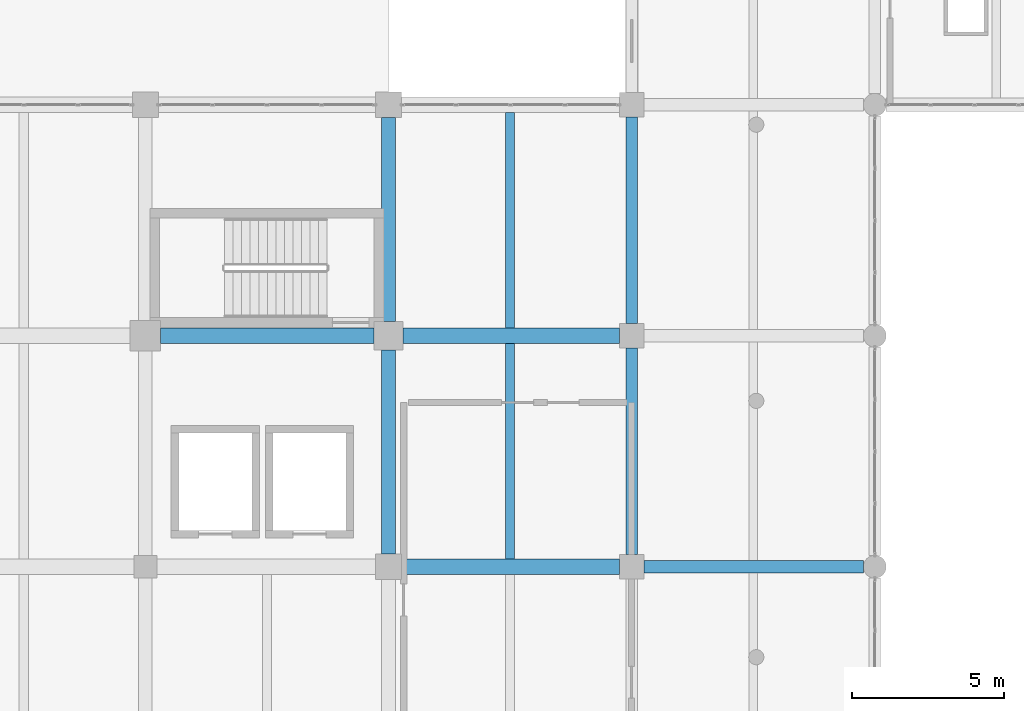
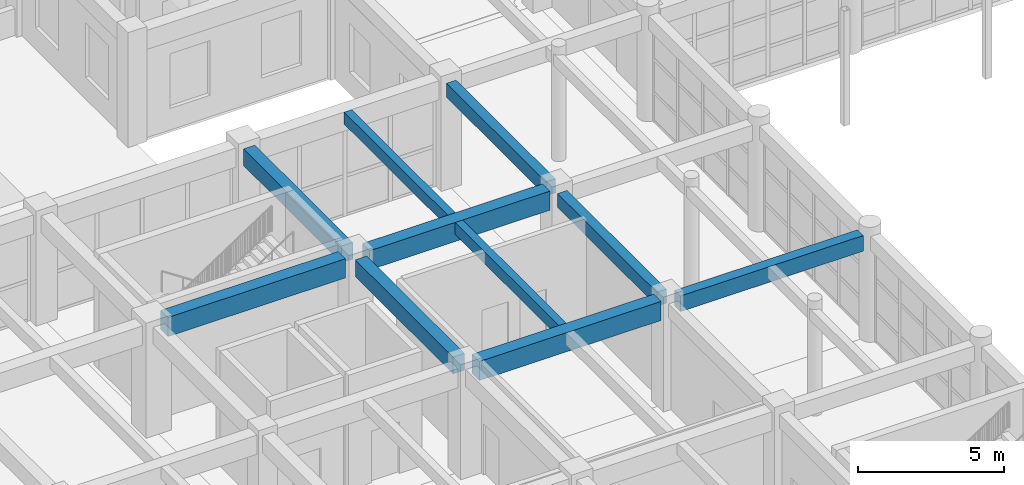
# One storey, part 29 of 101: 10 beams.
"""IFC4 building model written with IfcOpenShell, lengths in metres."""

from ifc_helpers import new_model, si_unit, direction, frame, origin, origin_2d, place, context, subcontext, project, spatial, rectangle, extrude, material, material_profile, profile_set, type_object, element, save


model = new_model("IFC4")

# Units and contexts
model_context = context("Model", 3, precision=1e-05, world=origin(), true_north=direction((0.0, 1.0)))
body_context = subcontext(model_context, "Body", "Model", "MODEL_VIEW")
ifc_project = project(units=[si_unit("LENGTHUNIT", "METRE"), si_unit("AREAUNIT", "SQUARE_METRE"), si_unit("VOLUMEUNIT", "CUBIC_METRE"), si_unit("PLANEANGLEUNIT", "RADIAN"), si_unit("MASSUNIT", "GRAM", prefix="KILO")], contexts=[model_context])

# Site, building, storey
site_placement = place(None, origin())
site = spatial("IfcSite", under=ifc_project, at=site_placement, CompositionType="ELEMENT")
building_placement = place(site_placement, origin())
building = spatial("IfcBuilding", under=site, at=building_placement, Name="Zantavel Square City Hall", CompositionType="ELEMENT")
storey_placement = place(building_placement, frame((0.0, 0.0, 5.39990234375)))
storey = spatial("IfcBuildingStorey", under=building, at=storey_placement, Name="L02", CompositionType="ELEMENT", Elevation=5.39990234375)

# Beams
ifc_material = material(Name="Concrete C35/45", Category="concrete")
ifc_material_profile_1 = material_profile(ifc_material, rectangle(XDim=0.3798828125, YDim=0.580078125, at=origin_2d()), Name="RC 380x580")
ifc_profile_set_1 = profile_set([ifc_material_profile_1], Name="Concrete C35/45")
beam_type_1 = type_object("IfcBeamType", Name="Annex Secondary Beam RC 380x580 C35/45", PredefinedType="BEAM", material=ifc_profile_set_1)
beam_1_placement = place(storey_placement, frame((112.0, 53.60009765625, 4.16015625), z_axis=(0.0, 1.0, 0.0), x_axis=(-1.0, 0.0, 0.0)))
element("IfcBeam", 1, at=beam_1_placement, inside=storey, type_object=beam_type_1, Name="L02 Beam BMY-L02-1120-0532", PredefinedType="BEAM", context=body_context, shape_type="SweptSolid", body=[
    extrude(rectangle(XDim=0.3798828125, YDim=0.580078125, at=origin_2d()), origin(), (0.0, 0.0, 1.0), 6.7998046875),
])
beam_2_placement = place(storey_placement, frame((112.0, 61.199951171875, 4.16015625), z_axis=(0.0, 1.0, 0.0), x_axis=(-1.0, 0.0, 0.0)))
element("IfcBeam", 2, at=beam_2_placement, inside=storey, type_object=beam_type_1, Name="L02 Beam BMY-L02-1120-0608", PredefinedType="BEAM", context=body_context, shape_type="SweptSolid", body=[
    extrude(rectangle(XDim=0.3798828125, YDim=0.580078125, at=origin_2d()), origin(), (0.0, 0.0, 1.0), 6.800048828125),
])
ifc_material_profile_2 = material_profile(ifc_material, rectangle(XDim=0.300048828125, YDim=0.5, at=origin_2d()), Name="RC 300x500")
ifc_profile_set_2 = profile_set([ifc_material_profile_2], Name="Concrete C35/45")
beam_type_2 = type_object("IfcBeamType", Name="Floor Joist RC 300x500 C35/45", PredefinedType="JOIST", material=ifc_profile_set_2)
beam_3_placement = place(storey_placement, frame((108.0, 53.449951171875, 4.2900390625), z_axis=(0.0, 1.0, 0.0), x_axis=(-1.0, 0.0, 0.0)))
element("IfcBeam", 3, at=beam_3_placement, inside=storey, type_object=beam_type_2, Name="L02 Floor Joist JST-L02-1080-0532", PredefinedType="JOIST", context=body_context, shape_type="SweptSolid", body=[
    extrude(rectangle(XDim=0.300048828125, YDim=0.5, at=origin_2d()), origin(), (0.0, 0.0, 1.0), 7.10009765625),
])
beam_4_placement = place(storey_placement, frame((108.0, 61.050048828125, 4.2900390625), z_axis=(0.0, 1.0, 0.0), x_axis=(-1.0, 0.0, 0.0)))
element("IfcBeam", 4, at=beam_4_placement, inside=storey, type_object=beam_type_2, Name="L02 Floor Joist JST-L02-1080-0608", PredefinedType="JOIST", context=body_context, shape_type="SweptSolid", body=[
    extrude(rectangle(XDim=0.300048828125, YDim=0.5, at=origin_2d()), origin(), (0.0, 0.0, 1.0), 7.099853515625),
])
ifc_material_profile_3 = material_profile(ifc_material, rectangle(XDim=0.39990234375, YDim=0.64990234375, at=origin_2d()), Name="RC 400x650")
ifc_profile_set_3 = profile_set([ifc_material_profile_3], Name="Concrete C35/45")
beam_type_3 = type_object("IfcBeamType", Name="Frame Beam RC 400x650 C35/45", PredefinedType="BEAM", material=ifc_profile_set_3)
beam_5_placement = place(storey_placement, frame((112.39990234375, 53.199951171875, 4.125), z_axis=(1.0, 0.0, 0.0), x_axis=(0.0, 1.0, 0.0)))
element("IfcBeam", 5, at=beam_5_placement, inside=storey, type_object=beam_type_3, Name="L02 Girder BMX-L02-1120-0532", PredefinedType="BEAM", context=body_context, shape_type="SweptSolid", body=[
    extrude(rectangle(XDim=0.39990234375, YDim=0.64990234375, at=origin_2d()), origin(), (0.0, 0.0, 1.0), 7.22509765625),
])
ifc_material_profile_4 = material_profile(ifc_material, rectangle(XDim=0.449951171875, YDim=0.699951171875, at=origin_2d()), Name="RC 450x700")
ifc_profile_set_4 = profile_set([ifc_material_profile_4], Name="Concrete C35/45")
beam_type_4 = type_object("IfcBeamType", Name="Primary Girder RC 450x700 C35/45", PredefinedType="BEAM", material=ifc_profile_set_4)
beam_6_placement = place(storey_placement, frame((104.0, 53.625, 4.190185546875), z_axis=(0.0, 1.0, 0.0), x_axis=(-1.0, 0.0, 0.0)))
element("IfcBeam", 6, at=beam_6_placement, inside=storey, type_object=beam_type_4, Name="L02 Beam BMY-L02-1040-0532", PredefinedType="BEAM", context=body_context, shape_type="SweptSolid", body=[
    extrude(rectangle(XDim=0.449951171875, YDim=0.699951171875, at=origin_2d()), origin(), (0.0, 0.0, 1.0), 6.699951171875),
])
beam_7_placement = place(storey_placement, frame((104.0, 61.27490234375, 4.190185546875), z_axis=(0.0, 1.0, 0.0), x_axis=(-1.0, 0.0, 0.0)))
element("IfcBeam", 7, at=beam_7_placement, inside=storey, type_object=beam_type_4, Name="L02 Beam BMY-L02-1040-0608", PredefinedType="BEAM", context=body_context, shape_type="SweptSolid", body=[
    extrude(rectangle(XDim=0.449951171875, YDim=0.699951171875, at=origin_2d()), origin(), (0.0, 0.0, 1.0), 6.7001953125),
])
ifc_material_profile_5 = material_profile(ifc_material, rectangle(XDim=0.5, YDim=0.800048828125, at=origin_2d()), Name="RC 500x800")
ifc_profile_set_5 = profile_set([ifc_material_profile_5], Name="Concrete C35/45")
beam_type_5 = type_object("IfcBeamType", Name="Primary Girder RC 500x800 C35/45", PredefinedType="BEAM", material=ifc_profile_set_5)
beam_8_placement = place(storey_placement, frame((96.5, 60.800048828125, 4.14013671875), z_axis=(1.0, 0.0, 0.0), x_axis=(0.0, 1.0, 0.0)))
element("IfcBeam", 8, at=beam_8_placement, inside=storey, type_object=beam_type_5, Name="L02 Girder BMX-L02-0960-0608", PredefinedType="BEAM", context=body_context, shape_type="SweptSolid", body=[
    extrude(rectangle(XDim=0.5, YDim=0.800048828125, at=origin_2d()), origin(), (0.0, 0.0, 1.0), 7.02490234375),
])
beam_9_placement = place(storey_placement, frame((104.425048828125, 53.199951171875, 4.14013671875), z_axis=(1.0, 0.0, 0.0), x_axis=(0.0, 1.0, 0.0)))
element("IfcBeam", 9, at=beam_9_placement, inside=storey, type_object=beam_type_5, Name="L02 Girder BMX-L02-1040-0532", PredefinedType="BEAM", context=body_context, shape_type="SweptSolid", body=[
    extrude(rectangle(XDim=0.5, YDim=0.800048828125, at=origin_2d()), origin(), (0.0, 0.0, 1.0), 7.175048828125),
])
beam_10_placement = place(storey_placement, frame((104.47509765625, 60.800048828125, 4.14013671875), z_axis=(1.0, 0.0, 0.0), x_axis=(0.0, 1.0, 0.0)))
element("IfcBeam", 10, at=beam_10_placement, inside=storey, type_object=beam_type_5, Name="L02 Girder BMX-L02-1040-0608", PredefinedType="BEAM", context=body_context, shape_type="SweptSolid", body=[
    extrude(rectangle(XDim=0.5, YDim=0.800048828125, at=origin_2d()), origin(), (0.0, 0.0, 1.0), 7.125),
])

save(model, "model.ifc")
